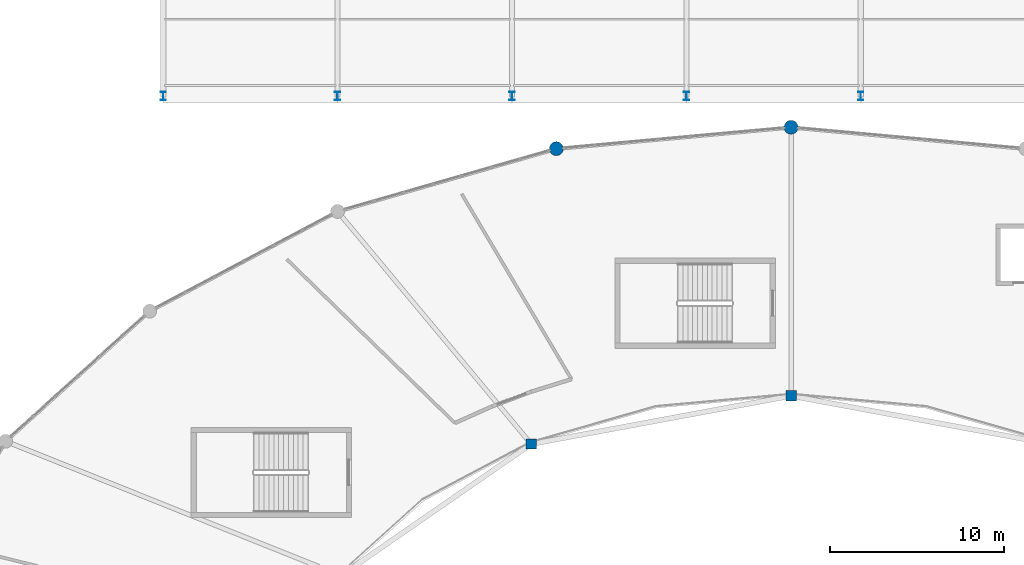
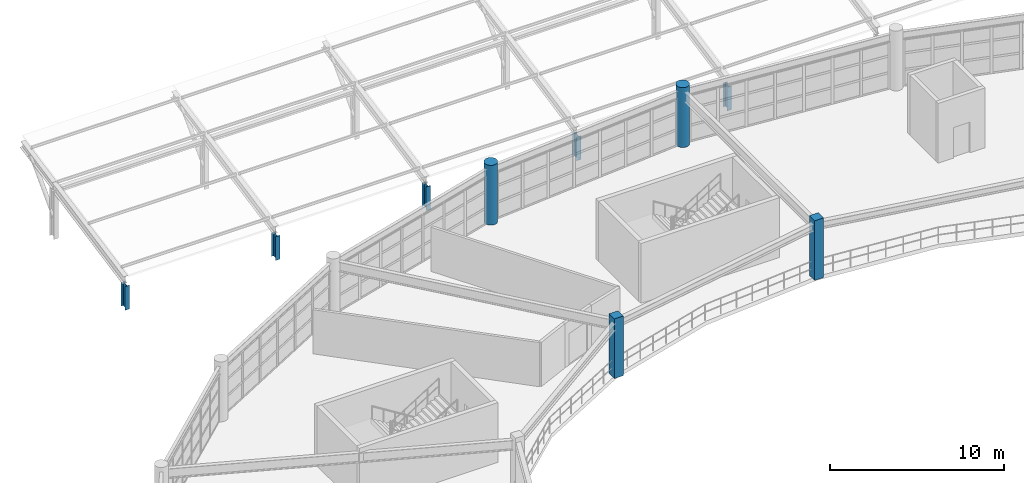
# One storey, part 11 of 100: 9 columns.
"""IFC4 building model written with IfcOpenShell, lengths in metres."""

from ifc_helpers import new_model, si_unit, direction, frame, origin, origin_2d, place, context, subcontext, project, spatial, rectangle, circle, i_section, extrude, material, material_profile, profile_set, type_object, element, save


model = new_model("IFC4")

# Units and contexts
model_context = context("Model", 3, precision=1e-05, world=origin(), true_north=direction((0.0, 1.0)))
body_context = subcontext(model_context, "Body", "Model", "MODEL_VIEW")
ifc_project = project(units=[si_unit("LENGTHUNIT", "METRE"), si_unit("AREAUNIT", "SQUARE_METRE"), si_unit("VOLUMEUNIT", "CUBIC_METRE"), si_unit("PLANEANGLEUNIT", "RADIAN"), si_unit("MASSUNIT", "GRAM", prefix="KILO")], contexts=[model_context])

# Site, building, storey
site_placement = place(None, origin())
site = spatial("IfcSite", under=ifc_project, at=site_placement, CompositionType="ELEMENT")
building_placement = place(site_placement, origin())
building = spatial("IfcBuilding", under=site, at=building_placement, Name="Kivolera Central Railway Station", CompositionType="ELEMENT")
storey_placement = place(building_placement, frame((0.0, 0.0, 5.39990234375)))
storey = spatial("IfcBuildingStorey", under=building, at=storey_placement, Name="L01", CompositionType="ELEMENT", Elevation=5.39990234375)

# Columns
ifc_material_1 = material(Name="Concrete C40/50", Category="concrete")
ifc_material_profile_1 = material_profile(ifc_material_1, rectangle(XDim=0.60009765625, YDim=0.60009765625, at=origin_2d()), Name="RC 600x600")
ifc_profile_set_1 = profile_set([ifc_material_profile_1], Name="Concrete C40/50")
column_type_1 = type_object("IfcColumnType", Name="COL-RC-600", PredefinedType="COLUMN", material=ifc_profile_set_1)
for number, where, z_axis, x_axis, name in (
    (1, (64.0, 110.60009765625, 0.0), (0.0, 0.0, 1.0), (1.0, 0.0, 0.0), "L01 Oval Gallery Column I04"),
    (2, (49.10009765625, 107.840087890625, 0.0), (0.0, 0.0, 1.0), (1.0, 0.0, 0.0), "L01 Oval Gallery Column I05"),
):
    element("IfcColumn", number, at=place(storey_placement, frame(where, z_axis=z_axis, x_axis=x_axis)), inside=storey, type_object=column_type_1, Name=name, PredefinedType="COLUMN", context=body_context, shape_type="SweptSolid", body=[
        extrude(rectangle(XDim=0.60009765625, YDim=0.60009765625, at=origin_2d()), origin(), (0.0, 0.0, 1.0), 4.2001953125),
    ])
ifc_material_profile_2 = material_profile(ifc_material_1, circle(Radius=0.39990234375, at=origin_2d()), Name="RC D800")
ifc_profile_set_2 = profile_set([ifc_material_profile_2], Name="Concrete C40/50")
column_type_2 = type_object("IfcColumnType", Name="COL-RC-D800", PredefinedType="COLUMN", material=ifc_profile_set_2)
for number, where, z_axis, x_axis, name in (
    (3, (64.0, 126.0, 0.0), (0.0, 0.0, 1.0), (1.0, 0.0, 0.0), "L01 Oval Drum Perimeter Column P07"),
    (4, (50.541015625, 124.77294921875, 0.0), (0.0, 0.0, 1.0), (1.0, 0.0, 0.0), "L01 Oval Drum Perimeter Column P08"),
):
    element("IfcColumn", number, at=place(storey_placement, frame(where, z_axis=z_axis, x_axis=x_axis)), inside=storey, type_object=column_type_2, Name=name, PredefinedType="COLUMN", context=body_context, shape_type="SweptSolid", body=[
        extrude(circle(Radius=0.39990234375, at=origin_2d()), origin(), (0.0, 0.0, 1.0), 4.2001953125),
    ])
ifc_material_2 = material(Name="Steel S355", Category="steel")
ifc_material_profile_3 = material_profile(ifc_material_2, i_section(OverallWidth=0.300048828125, OverallDepth=0.5, WebThickness=0.014404296875, FlangeThickness=0.028076171875, FilletRadius=0.027099609375, at=origin_2d()), Name="HEB 500")
ifc_profile_set_3 = profile_set([ifc_material_profile_3], Name="Steel S355")
column_type_3 = type_object("IfcColumnType", Name="COL-STL-HEB500", PredefinedType="COLUMN", material=ifc_profile_set_3)
for number, where, z_axis, x_axis, name in (
    (5, (28.0, 127.800048828125, 0.0), (0.0, 0.0, 1.0), (1.0, 0.0, 0.0), "L01 Forecourt Canopy Upper Pier 1S"),
    (6, (38.0, 127.800048828125, 0.0), (0.0, 0.0, 1.0), (1.0, 0.0, 0.0), "L01 Forecourt Canopy Upper Pier 2S"),
    (7, (48.0, 127.800048828125, 0.0), (0.0, 0.0, 1.0), (1.0, 0.0, 0.0), "L01 Forecourt Canopy Upper Pier 3S"),
    (8, (58.0, 127.800048828125, 0.0), (0.0, 0.0, 1.0), (1.0, 0.0, 0.0), "L01 Forecourt Canopy Upper Pier 4S"),
    (9, (68.0, 127.800048828125, 0.0), (0.0, 0.0, 1.0), (1.0, 0.0, 0.0), "L01 Forecourt Canopy Upper Pier 5S"),
):
    element("IfcColumn", number, at=place(storey_placement, frame(where, z_axis=z_axis, x_axis=x_axis)), inside=storey, type_object=column_type_3, Name=name, PredefinedType="COLUMN", context=body_context, shape_type="SweptSolid", body=[
        extrude(i_section(OverallWidth=0.300048828125, OverallDepth=0.5, WebThickness=0.014404296875, FlangeThickness=0.028076171875, FilletRadius=0.027099609375, at=origin_2d()), origin(), (0.0, 0.0, 1.0), 1.66015625),
    ])

save(model, "model.ifc")
